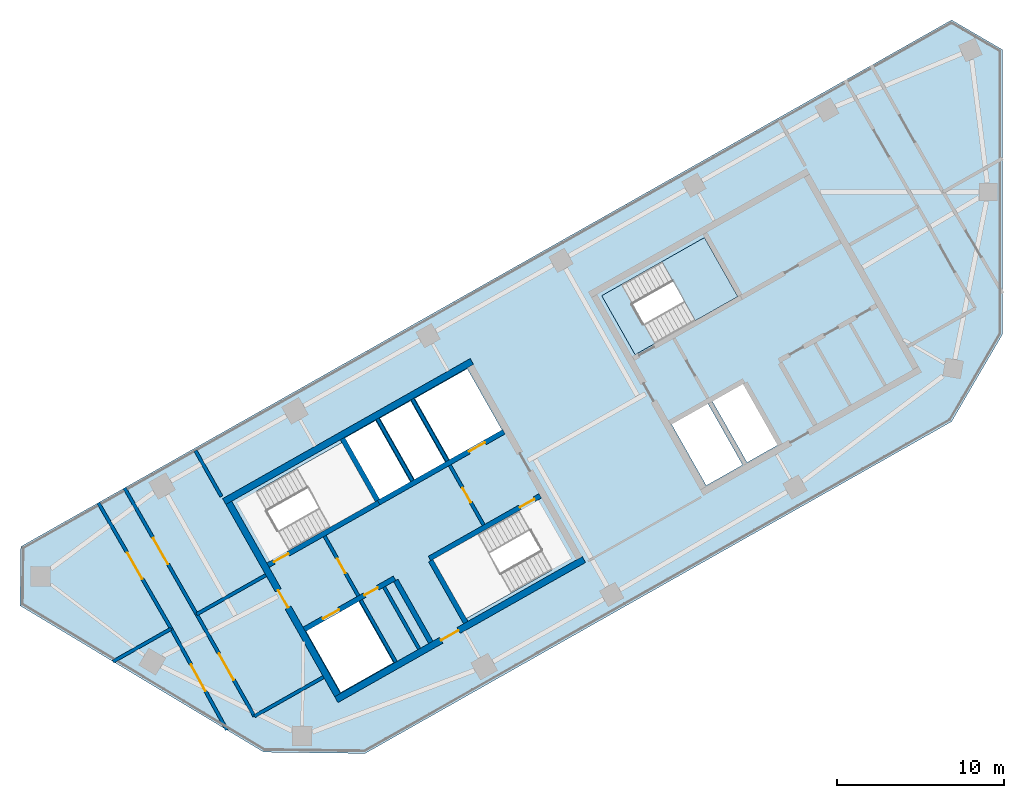
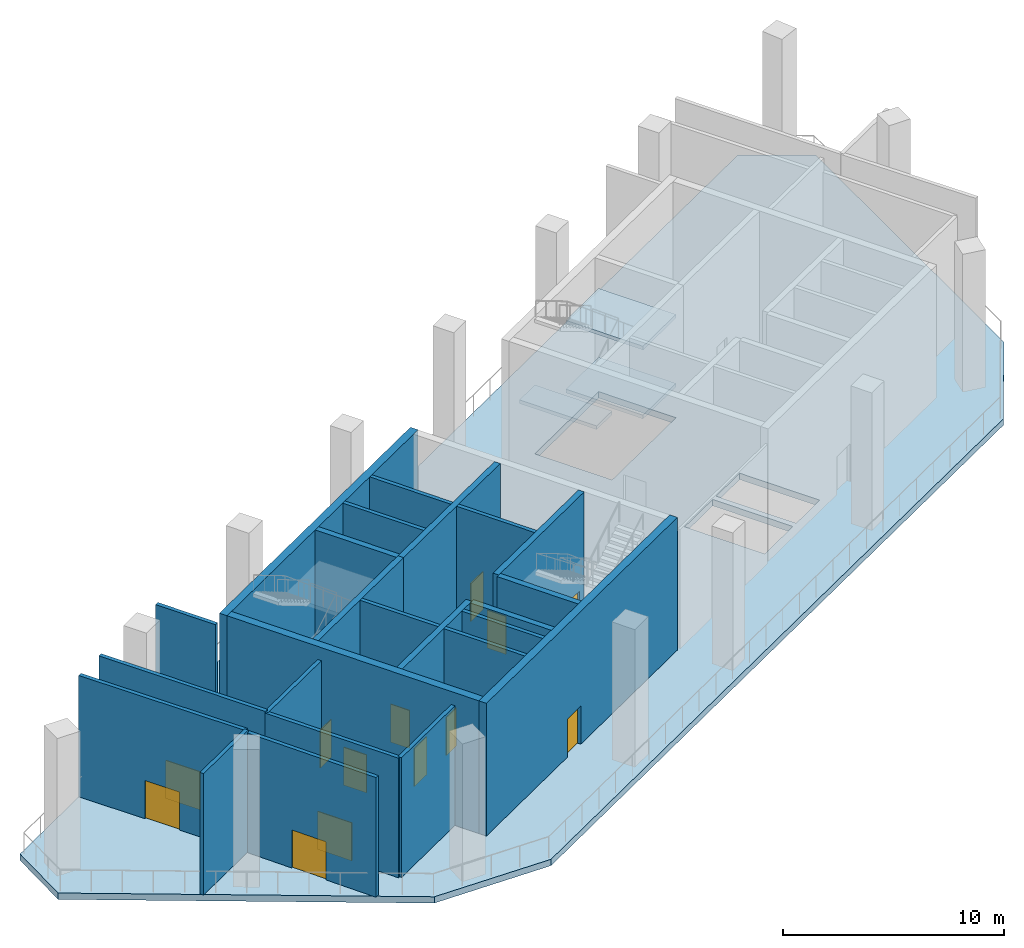
# One storey, part 2 of 6: 24 walls, 13 doors, 4 slabs, 13 openings, 1 element without a shape of its own.
"""IFC4 building model written with IfcOpenShell, lengths in metres."""

from ifc_helpers import new_model, si_unit, direction, frame, frame_2d, origin, place, context, subcontext, project, spatial, polyline, rectangle, outline, extrude, material, layer, layer_set, type_object, element, fill, aggregate, save


model = new_model("IFC4")

# Units and contexts
model_context = context("Model", 3, precision=1e-05, world=origin(), true_north=direction((0.0, 1.0)))
body_context = subcontext(model_context, "Body", "Model", "MODEL_VIEW")
ifc_project = project(units=[si_unit("LENGTHUNIT", "METRE"), si_unit("AREAUNIT", "SQUARE_METRE"), si_unit("VOLUMEUNIT", "CUBIC_METRE"), si_unit("PLANEANGLEUNIT", "RADIAN"), si_unit("MASSUNIT", "GRAM", prefix="KILO")], contexts=[model_context])

# Site, building, storey
site_placement = place(None, origin())
site = spatial("IfcSite", under=ifc_project, at=site_placement, CompositionType="ELEMENT")
building_placement = place(site_placement, origin())
building = spatial("IfcBuilding", under=site, at=building_placement, Name="Binnacle Exchange Tower", CompositionType="ELEMENT")
storey_placement = place(building_placement, frame((0.0, 0.0, 285.5)))
storey = spatial("IfcBuildingStorey", under=building, at=storey_placement, Name="L64", CompositionType="ELEMENT", Elevation=285.5)

# Slab
ifc_material_1 = material(Name="Concrete C35/45", Category="concrete")
ifc_layer_1 = layer(ifc_material_1, 0.35009765625)
ifc_layer_set_1 = layer_set([ifc_layer_1], Name="Floor slab 350 Concrete C35/45")
slab_type_1 = type_object("IfcSlabType", Name="Floor slab 350 Concrete C35/45", PredefinedType="FLOOR", material=ifc_layer_set_1)
slab_1_placement = place(storey_placement, frame((0.0, 0.0, -0.35009765625)))
element("IfcSlab", 1, at=slab_1_placement, inside=storey, type_object=slab_type_1, Name="S:SL:L64:01", PredefinedType="FLOOR", context=body_context, shape_type="SweptSolid", body=[
    extrude(outline(polyline([(-38.097900390625, 26.4453125), (-44.14404296875, 26.5244140625), (-58.716064453125, 35.280029296875), (-58.669921875, 38.80615234375), (-3.046142578125, 70.276611328125), (0.0, 68.5), (0.0, 51.5), (-3.046142578125, 46.276611328125), (-38.097900390625, 26.4453125)]), holes=[polyline([(-38.4794921875, 35.529296875), (-41.61279296875, 33.756591796875), (-39.544677734375, 30.10107421875), (-36.411376953125, 31.873779296875), (-38.4794921875, 35.529296875)]), polyline([(-32.04638671875, 34.515625), (-26.9287109375, 37.4111328125), (-28.923095703125, 40.93603515625), (-34.040771484375, 38.04052734375), (-32.04638671875, 34.515625)]), polyline([(-39.480712890625, 45.01611328125), (-44.598388671875, 42.12060546875), (-42.604248046875, 38.595703125), (-37.486572265625, 41.4912109375), (-39.480712890625, 45.01611328125)]), polyline([(-37.4658203125, 46.32861328125), (-39.293701171875, 45.29443359375), (-37.225341796875, 41.638916015625), (-35.397705078125, 42.673095703125), (-37.4658203125, 46.32861328125)]), polyline([(-17.598876953125, 47.343017578125), (-19.77490234375, 46.11181640625), (-17.70654296875, 42.456298828125), (-15.53076171875, 43.6875), (-17.598876953125, 47.343017578125)]), polyline([(-35.376953125, 47.51025390625), (-37.20458984375, 46.476318359375), (-35.136474609375, 42.82080078125), (-33.308837890625, 43.854736328125), (-35.376953125, 47.51025390625)]), polyline([(-15.510009765625, 48.52490234375), (-17.337890625, 47.49072265625), (-15.26953125, 43.835205078125), (-13.44189453125, 44.869384765625), (-15.510009765625, 48.52490234375)]), polyline([(-29.914306640625, 45.775390625), (-31.982666015625, 49.430908203125), (-35.115966796875, 47.657958984375), (-33.047607421875, 44.00244140625), (-29.914306640625, 45.775390625)]), polyline([(-15.822509765625, 53.748046875), (-17.81689453125, 57.27294921875), (-22.760498046875, 54.47607421875), (-20.76611328125, 50.950927734375), (-15.822509765625, 53.748046875)])]), origin(), (0.0, 0.0, 1.0), 0.35009765625),
])

# Stair, slabs
stair_type = type_object("IfcStairType", Name="STAIR 44 RISERS 173", PredefinedType="HALF_TURN_STAIR", material=ifc_material_1)
stair_placement = place(storey_placement, origin())
stair = element("IfcStair", 2, at=stair_placement, inside=storey, type_object=stair_type, Name="L64 Escape stair C1", PredefinedType="HALF_TURN_STAIR")
ifc_layer_2 = layer(ifc_material_1, 0.199951171875)
ifc_layer_set_2 = layer_set([ifc_layer_2], Name="STAIR LANDING 200")
slab_type_2 = type_object("IfcSlabType", Name="STAIR LANDING 200", PredefinedType="LANDING", material=ifc_layer_set_2)
slab_2_placement = place(storey_placement, frame((0.0, 0.0, 1.699951171875)))
slab_2 = element("IfcSlab", 3, at=slab_2_placement, type_object=slab_type_2, Name="STC1 landing 1", PredefinedType="LANDING", context=body_context, shape_type="SweptSolid", body=[
    extrude(outline(polyline([(-18.364013671875, 52.31005859375), (-15.822509765625, 53.748046875), (-17.81689453125, 57.27294921875), (-20.3583984375, 55.8349609375), (-18.364013671875, 52.31005859375)])), origin(), (0.0, 0.0, 1.0), 0.199951171875),
])
slab_3_placement = place(storey_placement, frame((0.0, 0.0, 3.60009765625)))
slab_3 = element("IfcSlab", 4, at=slab_3_placement, type_object=slab_type_2, Name="STC1 landing 2", PredefinedType="LANDING", context=body_context, shape_type="SweptSolid", body=[
    extrude(outline(polyline([(-21.95849609375, 50.2763671875), (-20.76611328125, 50.950927734375), (-22.760498046875, 54.47607421875), (-23.952880859375, 53.80126953125), (-21.95849609375, 50.2763671875)])), origin(), (0.0, 0.0, 1.0), 0.199951171875),
])
slab_4_placement = place(storey_placement, frame((0.0, 0.0, 5.5)))
slab_4 = element("IfcSlab", 5, at=slab_4_placement, type_object=slab_type_2, Name="STC1 landing 3", PredefinedType="LANDING", context=body_context, shape_type="SweptSolid", body=[
    extrude(outline(polyline([(-18.364013671875, 52.31005859375), (-15.822509765625, 53.748046875), (-17.81689453125, 57.27294921875), (-20.3583984375, 55.8349609375), (-18.364013671875, 52.31005859375)])), origin(), (0.0, 0.0, 1.0), 0.199951171875),
])
aggregate(stair, [slab_2, slab_3, slab_4])

# Wall, openings, doors
ifc_material_2 = material(Name="Concrete C70/85", Category="concrete")
ifc_layer_3 = layer(ifc_material_2, 0.300048828125)
ifc_layer_set_3 = layer_set([ifc_layer_3], Name="Core wall - front 300")
wall_type_1 = type_object("IfcWallType", Name="Core wall - front 300", PredefinedType="SOLIDWALL", material=ifc_layer_set_3)
wall_1_placement = place(storey_placement, frame((-41.72998046875, 33.862548828125, 0.0), z_axis=(0.0, 0.0, 1.0), x_axis=(0.870350800578, 0.492432212525, 0.0)))
wall_1 = element("IfcWall", 6, at=wall_1_placement, inside=storey, type_object=wall_type_1, Name="Core wall CRWA2", PredefinedType="SOLIDWALL", context=body_context, shape_type="SweptSolid", body=[
    extrude(rectangle(XDim=6.19970703125, YDim=0.300048828125, at=frame_2d((3.099853515625, 0.0))), origin(), (0.0, 0.0, 1.0), 7.320068359375),
])
opening_1_placement = place(wall_1_placement, frame((1.300048828125, 0.0, 0.0)))
opening_1 = element("IfcOpeningElement", 7, at=opening_1_placement, cuts=wall_1, Name="Opening LD12", PredefinedType="OPENING", context=body_context, shape_type="SweptSolid", body=[
    extrude(rectangle(XDim=1.10009765625, YDim=2.10009765625, at=frame_2d((0.550048828125, 1.050048828125))), frame((0.0, 0.159912109375, 0.0), z_axis=(0.0, -1.0, 0.0), x_axis=(1.0, 0.0, 0.0)), (0.0, 0.0, 1.0), 0.320068359375),
])
opening_2_placement = place(wall_1_placement, frame((4.14990234375, 0.0, 0.0)))
opening_2 = element("IfcOpeningElement", 8, at=opening_2_placement, cuts=wall_1, Name="Opening DA14", PredefinedType="OPENING", context=body_context, shape_type="SweptSolid", body=[
    extrude(rectangle(XDim=0.89990234375, YDim=2.10009765625, at=frame_2d((0.449951171875, 1.050048828125))), frame((0.0, 0.159912109375, 0.0), z_axis=(0.0, -1.0, 0.0), x_axis=(1.0, 0.0, 0.0)), (0.0, 0.0, 1.0), 0.320068359375),
])
ifc_material_3 = material(Name="Steel door leaf", Category="steel")
door_type_1 = type_object("IfcDoorType", Name="Fire door - lift landing 1100", OperationType="NOTDEFINED", PredefinedType="DOOR", material=ifc_material_3)
door_1_placement = place(opening_1_placement, origin())
door_1 = element("IfcDoor", 9, at=door_1_placement, inside=storey, type_object=door_type_1, Name="Landing door LD12 L64", OperationType="DOUBLE_DOOR_SLIDING", OverallHeight=2.10009765625, OverallWidth=1.10009765625, PredefinedType="DOOR", context=body_context, shape_type="SweptSolid", body=[
    extrude(rectangle(XDim=1.10009765625, YDim=2.10009765625, at=frame_2d((0.550048828125, 1.050048828125))), frame((0.0, 0.02490234375, 0.0), z_axis=(0.0, -1.0, 0.0), x_axis=(1.0, 0.0, 0.0)), (0.0, 0.0, 1.0), 0.050048828125),
])
fill(opening_1, door_1)
door_type_2 = type_object("IfcDoorType", Name="Fire door 900", OperationType="NOTDEFINED", PredefinedType="DOOR", material=ifc_material_3)
door_2_placement = place(opening_2_placement, frame((0.89990234375, 0.0, 0.0), z_axis=(0.0, 0.0, 1.0), x_axis=(-1.0, 0.0, 0.0)))
door_2 = element("IfcDoor", 10, at=door_2_placement, inside=storey, type_object=door_type_2, Name="Core room door UPS CUPBOARD", OperationType="SINGLE_SWING_LEFT", OverallHeight=2.10009765625, OverallWidth=0.89990234375, PredefinedType="DOOR", context=body_context, shape_type="SweptSolid", body=[
    extrude(rectangle(XDim=0.89990234375, YDim=2.10009765625, at=frame_2d((0.449951171875, 1.050048828125))), frame((0.0, 0.02490234375, 0.0), z_axis=(0.0, -1.0, 0.0), x_axis=(1.0, 0.0, 0.0)), (0.0, 0.0, 1.0), 0.050048828125),
])
fill(opening_2, door_2)

# Wall, opening, door
wall_2_placement = place(storey_placement, frame((-37.281982421875, 41.4345703125, 0.0), z_axis=(0.0, 0.0, 1.0), x_axis=(0.870361315115, 0.492413628113, 0.0)))
wall_2 = element("IfcWall", 11, at=wall_2_placement, inside=storey, type_object=wall_type_1, Name="Core wall CRWA5", PredefinedType="SOLIDWALL", context=body_context, shape_type="SweptSolid", body=[
    extrude(rectangle(XDim=8.599609375, YDim=0.300048828125, at=frame_2d((4.2998046875, 0.0))), origin(), (0.0, 0.0, 1.0), 7.320068359375),
])
opening_3_placement = place(wall_2_placement, frame((6.199951171875, 0.0, 0.0)))
opening_3 = element("IfcOpeningElement", 12, at=opening_3_placement, cuts=wall_2, Name="Opening LD13", PredefinedType="OPENING", context=body_context, shape_type="SweptSolid", body=[
    extrude(rectangle(XDim=1.10009765625, YDim=2.10009765625, at=frame_2d((0.550048828125, 1.050048828125))), frame((0.0, 0.159912109375, 0.0), z_axis=(0.0, -1.0, 0.0), x_axis=(1.0, 0.0, 0.0)), (0.0, 0.0, 1.0), 0.320068359375),
])
door_3_placement = place(opening_3_placement, origin())
door_3 = element("IfcDoor", 13, at=door_3_placement, inside=storey, type_object=door_type_1, Name="Landing door LD13 L64", OperationType="DOUBLE_DOOR_SLIDING", OverallHeight=2.10009765625, OverallWidth=1.10009765625, PredefinedType="DOOR", context=body_context, shape_type="SweptSolid", body=[
    extrude(rectangle(XDim=1.10009765625, YDim=2.10009765625, at=frame_2d((0.550048828125, 1.050048828125))), frame((0.0, 0.02490234375, 0.0), z_axis=(0.0, -1.0, 0.0), x_axis=(1.0, 0.0, 0.0)), (0.0, 0.0, 1.0), 0.050048828125),
])
fill(opening_3, door_3)

# Wall
wall_3_placement = place(storey_placement, frame((-36.260009765625, 36.784912109375, 0.0), z_axis=(0.0, 0.0, 1.0), x_axis=(0.492422543467, -0.870356271124, 0.0)))
element("IfcWall", 14, at=wall_3_placement, inside=storey, type_object=wall_type_1, Name="Core wall CRWA13", PredefinedType="SOLIDWALL", context=body_context, shape_type="SweptSolid", body=[
    extrude(rectangle(XDim=4.25, YDim=0.300048828125, at=frame_2d((2.125, 0.0))), origin(), (0.0, 0.0, 1.0), 7.320068359375),
])

# Wall, opening, door
ifc_layer_4 = layer(ifc_material_2, 0.39990234375)
ifc_layer_set_4 = layer_set([ifc_layer_4], Name="Core wall - outer 400")
wall_type_2 = type_object("IfcWallType", Name="Core wall - outer 400", PredefinedType="SOLIDWALL", material=ifc_layer_set_4)
wall_4_placement = place(storey_placement, frame((-39.81298828125, 29.661865234375, 0.0), z_axis=(0.0, 0.0, 1.0), x_axis=(0.870350116061, 0.492433422375, 0.0)))
wall_4 = element("IfcWall", 15, at=wall_4_placement, inside=storey, type_object=wall_type_2, Name="Core wall CRWA1", PredefinedType="SOLIDWALL", context=body_context, shape_type="SweptSolid", body=[
    extrude(rectangle(XDim=17.0, YDim=0.39990234375, at=frame_2d((8.5, 0.0))), origin(), (0.0, 0.0, 1.0), 7.320068359375),
])
opening_4_placement = place(wall_4_placement, frame((7.199951171875, 0.0, 0.0)))
opening_4 = element("IfcOpeningElement", 16, at=opening_4_placement, cuts=wall_4, Name="Opening DA7", PredefinedType="OPENING", context=body_context, shape_type="SweptSolid", body=[
    extrude(rectangle(XDim=1.199951171875, YDim=2.10009765625, at=frame_2d((0.60009765625, 1.050048828125))), frame((0.0, 0.2099609375, 0.0), z_axis=(0.0, -1.0, 0.0), x_axis=(1.0, 0.0, 0.0)), (0.0, 0.0, 1.0), 0.419921875),
])
door_type_3 = type_object("IfcDoorType", Name="Fire door 1200", OperationType="NOTDEFINED", PredefinedType="DOOR", material=ifc_material_3)
door_4_placement = place(opening_4_placement, frame((1.199951171875, 0.0, 0.0), z_axis=(0.0, 0.0, 1.0), x_axis=(-1.0, 0.0, 0.0)))
door_4 = element("IfcDoor", 17, at=door_4_placement, inside=storey, type_object=door_type_3, Name="Lift lobby entrance door core A", OperationType="SINGLE_SWING_RIGHT", OverallHeight=2.10009765625, OverallWidth=1.199951171875, PredefinedType="DOOR", context=body_context, shape_type="SweptSolid", body=[
    extrude(rectangle(XDim=1.199951171875, YDim=2.10009765625, at=frame_2d((0.60009765625, 1.050048828125))), frame((0.0, 0.02490234375, 0.0), z_axis=(0.0, -1.0, 0.0), x_axis=(1.0, 0.0, 0.0)), (0.0, 0.0, 1.0), 0.050048828125),
])
fill(opening_4, door_4)

# Wall
wall_5_placement = place(storey_placement, frame((-46.510009765625, 41.498779296875, 0.0), z_axis=(0.0, 0.0, 1.0), x_axis=(0.870356271124, 0.492422543467, 0.0)))
element("IfcWall", 18, at=wall_5_placement, inside=storey, type_object=wall_type_2, Name="Core wall CRWA6", PredefinedType="SOLIDWALL", context=body_context, shape_type="SweptSolid", body=[
    extrude(rectangle(XDim=16.999755859375, YDim=0.39990234375, at=frame_2d((8.5, 0.0))), origin(), (0.0, 0.0, 1.0), 7.320068359375),
])

# Wall, opening, door
wall_6_placement = place(storey_placement, frame((-46.237548828125, 41.423095703125, 0.0), z_axis=(0.0, 0.0, 1.0), x_axis=(0.492421663121, -0.870356769198, 0.0)))
wall_6 = element("IfcWall", 19, at=wall_6_placement, inside=storey, type_object=wall_type_2, Name="Core wall CRWA7", PredefinedType="SOLIDWALL", context=body_context, shape_type="SweptSolid", body=[
    extrude(rectangle(XDim=13.199951171875, YDim=0.39990234375, at=frame_2d((6.60009765625, 0.0))), origin(), (0.0, 0.0, 1.0), 7.320068359375),
])
opening_5_placement = place(wall_6_placement, frame((6.0, 0.0, 0.0)))
opening_5 = element("IfcOpeningElement", 20, at=opening_5_placement, cuts=wall_6, Name="Opening DA5", PredefinedType="OPENING", context=body_context, shape_type="SweptSolid", body=[
    extrude(rectangle(XDim=1.199951171875, YDim=2.10009765625, at=frame_2d((0.60009765625, 1.050048828125))), frame((0.0, 0.2099609375, 0.0), z_axis=(0.0, -1.0, 0.0), x_axis=(1.0, 0.0, 0.0)), (0.0, 0.0, 1.0), 0.419921875),
])
door_5_placement = place(opening_5_placement, frame((1.199951171875, 0.0, 0.0), z_axis=(0.0, 0.0, 1.0), x_axis=(-1.0, 0.0, 0.0)))
door_5 = element("IfcDoor", 21, at=door_5_placement, inside=storey, type_object=door_type_3, Name="Vestibule exit door VEST-W", OperationType="SINGLE_SWING_RIGHT", OverallHeight=2.10009765625, OverallWidth=1.199951171875, PredefinedType="DOOR", context=body_context, shape_type="SweptSolid", body=[
    extrude(rectangle(XDim=1.199951171875, YDim=2.10009765625, at=frame_2d((0.60009765625, 1.050048828125))), frame((0.0, 0.02490234375, 0.0), z_axis=(0.0, -1.0, 0.0), x_axis=(1.0, 0.0, 0.0)), (0.0, 0.0, 1.0), 0.050048828125),
])
fill(opening_5, door_5)

ifc_layer_5 = layer(ifc_material_2, 0.300048828125)
ifc_layer_set_5 = layer_set([ifc_layer_5], Name="Core wall - stair 300")
wall_type_3 = type_object("IfcWallType", Name="Core wall - stair 300", PredefinedType="SOLIDWALL", material=ifc_layer_set_5)
wall_7_placement = place(storey_placement, frame((-34.2451171875, 38.097412109375, 0.0), z_axis=(0.0, 0.0, 1.0), x_axis=(0.870356351998, 0.492422400523, 0.0)))
wall_7 = element("IfcWall", 22, at=wall_7_placement, inside=storey, type_object=wall_type_3, Name="Core wall CRWA3", PredefinedType="SOLIDWALL", context=body_context, shape_type="SweptSolid", body=[
    extrude(rectangle(XDim=7.60009765625, YDim=0.300048828125, at=frame_2d((3.800048828125, 0.0))), origin(), (0.0, 0.0, 1.0), 7.320068359375),
])
opening_6_placement = place(wall_7_placement, frame((6.199951171875, 0.0, 0.0)))
opening_6 = element("IfcOpeningElement", 23, at=opening_6_placement, cuts=wall_7, Name="Opening DA2", PredefinedType="OPENING", context=body_context, shape_type="SweptSolid", body=[
    extrude(rectangle(XDim=1.0, YDim=2.10009765625, at=frame_2d((0.5, 1.050048828125))), frame((0.0, 0.159912109375, 0.0), z_axis=(0.0, -1.0, 0.0), x_axis=(1.0, 0.0, 0.0)), (0.0, 0.0, 1.0), 0.320068359375),
])
door_type_4 = type_object("IfcDoorType", Name="Fire door 1000", OperationType="NOTDEFINED", PredefinedType="DOOR", material=ifc_material_3)
door_6_placement = place(opening_6_placement, frame((1.0, 0.0, 0.0), z_axis=(0.0, 0.0, 1.0), x_axis=(-1.0, 0.0, 0.0)))
door_6 = element("IfcDoor", 24, at=door_6_placement, inside=storey, type_object=door_type_4, Name="Stair door ST-A2", OperationType="SINGLE_SWING_LEFT", OverallHeight=2.10009765625, OverallWidth=1.0, PredefinedType="DOOR", context=body_context, shape_type="SweptSolid", body=[
    extrude(rectangle(XDim=1.0, YDim=2.10009765625, at=frame_2d((0.5, 1.050048828125))), frame((0.0, 0.02490234375, 0.0), z_axis=(0.0, -1.0, 0.0), x_axis=(1.0, 0.0, 0.0)), (0.0, 0.0, 1.0), 0.050048828125),
])
fill(opening_6, door_6)

wall_8_placement = place(storey_placement, frame((-43.896728515625, 37.692138671875, 0.0), z_axis=(0.0, 0.0, 1.0), x_axis=(0.870356351998, 0.492422400523, 0.0)))
wall_8 = element("IfcWall", 25, at=wall_8_placement, inside=storey, type_object=wall_type_3, Name="Core wall CRWA4", PredefinedType="SOLIDWALL", context=body_context, shape_type="SweptSolid", body=[
    extrude(rectangle(XDim=7.60009765625, YDim=0.300048828125, at=frame_2d((3.800048828125, 0.0))), origin(), (0.0, 0.0, 1.0), 7.320068359375),
])
opening_7_placement = place(wall_8_placement, frame((0.39990234375, 0.0, 0.0)))
opening_7 = element("IfcOpeningElement", 26, at=opening_7_placement, cuts=wall_8, Name="Opening DA1", PredefinedType="OPENING", context=body_context, shape_type="SweptSolid", body=[
    extrude(rectangle(XDim=1.0, YDim=2.10009765625, at=frame_2d((0.5, 1.050048828125))), frame((0.0, 0.159912109375, 0.0), z_axis=(0.0, -1.0, 0.0), x_axis=(1.0, 0.0, 0.0)), (0.0, 0.0, 1.0), 0.320068359375),
])
door_7_placement = place(opening_7_placement, origin())
door_7 = element("IfcDoor", 27, at=door_7_placement, inside=storey, type_object=door_type_4, Name="Stair door ST-A1", OperationType="SINGLE_SWING_LEFT", OverallHeight=2.10009765625, OverallWidth=1.0, PredefinedType="DOOR", context=body_context, shape_type="SweptSolid", body=[
    extrude(rectangle(XDim=1.0, YDim=2.10009765625, at=frame_2d((0.5, 1.050048828125))), frame((0.0, 0.02490234375, 0.0), z_axis=(0.0, -1.0, 0.0), x_axis=(1.0, 0.0, 0.0)), (0.0, 0.0, 1.0), 0.050048828125),
])
fill(opening_7, door_7)

# Walls
for number, where, z_axis, x_axis, name in (
    (28, (-39.44873046875, 45.263916015625, 0.0), (0.0, 0.0, 1.0), (0.492422543467, -0.870356271124, 0.0), "Core wall CRWA14"),
    (29, (-34.171142578125, 37.966796875, 0.0), (0.0, 0.0, 1.0), (0.492422543467, -0.870356271124, 0.0), "Core wall CRWA16"),
):
    element("IfcWall", number, at=place(storey_placement, frame(where, z_axis=z_axis, x_axis=x_axis)), inside=storey, type_object=wall_type_3, Name=name, PredefinedType="SOLIDWALL", context=body_context, shape_type="SweptSolid", body=[
        extrude(rectangle(XDim=4.25, YDim=0.300048828125, at=frame_2d((2.125, 0.0))), origin(), (0.0, 0.0, 1.0), 7.320068359375),
    ])

# Wall, opening, door
ifc_material_4 = material(Name="Masonry block wall", Category="masonry")
ifc_layer_6 = layer(ifc_material_4, 0.199951171875)
ifc_layer_set_6 = layer_set([ifc_layer_6], Name="Fire wall - block 200")
wall_type_4 = type_object("IfcWallType", Name="Fire wall - block 200", PredefinedType="PARTITIONING", material=ifc_layer_set_6)
wall_9_placement = place(storey_placement, frame((-54.035888671875, 41.427978515625, 0.0), z_axis=(0.0, 0.0, 1.0), x_axis=(0.500903434797, -0.865503176775, 0.0)))
wall_9 = element("IfcWall", 30, at=wall_9_placement, inside=storey, type_object=wall_type_4, Name="Partition W01", PredefinedType="PARTITIONING", context=body_context, shape_type="SweptSolid", body=[
    extrude(rectangle(XDim=8.6943359375, YDim=0.199951171875, at=frame_2d((4.34716796875, 0.0))), origin(), (0.0, 0.0, 1.0), 6.694091796875),
])
opening_8_placement = place(wall_9_placement, frame((3.449951171875, 0.0, 0.0)))
opening_8 = element("IfcOpeningElement", 31, at=opening_8_placement, cuts=wall_9, Name="Opening DL64-02", PredefinedType="OPENING", context=body_context, shape_type="SweptSolid", body=[
    extrude(rectangle(XDim=1.800048828125, YDim=2.10009765625, at=frame_2d((0.89990234375, 1.050048828125))), frame((0.0, 0.10986328125, 0.0), z_axis=(0.0, -1.0, 0.0), x_axis=(1.0, 0.0, 0.0)), (0.0, 0.0, 1.0), 0.219970703125),
])
door_type_5 = type_object("IfcDoorType", Name="Fire door 1800", OperationType="NOTDEFINED", PredefinedType="DOOR", material=ifc_material_3)
door_8_placement = place(opening_8_placement, frame((1.800048828125, 0.0, 0.0), z_axis=(0.0, 0.0, 1.0), x_axis=(-1.0, 0.0, 0.0)))
door_8 = element("IfcDoor", 32, at=door_8_placement, inside=storey, type_object=door_type_5, Name="Door DL64-02", OperationType="DOUBLE_DOOR_SINGLE_SWING", OverallHeight=2.10009765625, OverallWidth=1.800048828125, PredefinedType="DOOR", context=body_context, shape_type="SweptSolid", body=[
    extrude(rectangle(XDim=1.800048828125, YDim=2.10009765625, at=frame_2d((0.89990234375, 1.050048828125))), frame((0.0, 0.02490234375, 0.0), z_axis=(0.0, -1.0, 0.0), x_axis=(1.0, 0.0, 0.0)), (0.0, 0.0, 1.0), 0.050048828125),
])
fill(opening_8, door_8)

# Wall
wall_10_placement = place(storey_placement, frame((-53.154052734375, 31.93798828125, 0.0), z_axis=(0.0, 0.0, 1.0), x_axis=(0.870347398057, 0.492438226273, 0.0)))
element("IfcWall", 33, at=wall_10_placement, inside=storey, type_object=wall_type_4, Name="Partition W02", PredefinedType="PARTITIONING", context=body_context, shape_type="SweptSolid", body=[
    extrude(rectangle(XDim=3.990478515625, YDim=0.199951171875, at=frame_2d((1.9951171875, 0.0))), origin(), (0.0, 0.0, 1.0), 6.699951171875),
])

# Wall, opening, door
wall_11_placement = place(storey_placement, frame((-52.469970703125, 42.31396484375, 0.0), z_axis=(0.0, 0.0, 1.0), x_axis=(0.495939345118, -0.868357164975, 0.0)))
wall_11 = element("IfcWall", 34, at=wall_11_placement, inside=storey, type_object=wall_type_4, Name="Partition W03", PredefinedType="PARTITIONING", context=body_context, shape_type="SweptSolid", body=[
    extrude(rectangle(XDim=8.694580078125, YDim=0.199951171875, at=frame_2d((4.34716796875, 0.0))), origin(), (0.0, 0.0, 1.0), 6.694091796875),
])
opening_9_placement = place(wall_11_placement, frame((3.449951171875, 0.0, 0.0)))
opening_9 = element("IfcOpeningElement", 35, at=opening_9_placement, cuts=wall_11, Name="Opening DL64-04", PredefinedType="OPENING", context=body_context, shape_type="SweptSolid", body=[
    extrude(rectangle(XDim=1.800048828125, YDim=2.10009765625, at=frame_2d((0.89990234375, 1.050048828125))), frame((0.0, 0.10986328125, 0.0), z_axis=(0.0, -1.0, 0.0), x_axis=(1.0, 0.0, 0.0)), (0.0, 0.0, 1.0), 0.219970703125),
])
door_9_placement = place(opening_9_placement, origin())
door_9 = element("IfcDoor", 36, at=door_9_placement, inside=storey, type_object=door_type_5, Name="Door DL64-04", OperationType="DOUBLE_DOOR_SINGLE_SWING", OverallHeight=2.10009765625, OverallWidth=1.800048828125, PredefinedType="DOOR", context=body_context, shape_type="SweptSolid", body=[
    extrude(rectangle(XDim=1.800048828125, YDim=2.10009765625, at=frame_2d((0.89990234375, 1.050048828125))), frame((0.0, 0.02490234375, 0.0), z_axis=(0.0, -1.0, 0.0), x_axis=(1.0, 0.0, 0.0)), (0.0, 0.0, 1.0), 0.050048828125),
])
fill(opening_9, door_9)

wall_12_placement = place(storey_placement, frame((-49.680908203125, 33.903076171875, 0.0), z_axis=(0.0, 0.0, 1.0), x_axis=(0.48158332994, -0.876400305981, 0.0)))
wall_12 = element("IfcWall", 37, at=wall_12_placement, inside=storey, type_object=wall_type_4, Name="Partition W04", PredefinedType="PARTITIONING", context=body_context, shape_type="SweptSolid", body=[
    extrude(rectangle(XDim=6.902099609375, YDim=0.199951171875, at=frame_2d((3.451171875, 0.0))), origin(), (0.0, 0.0, 1.0), 6.60009765625),
])
opening_10_placement = place(wall_12_placement, frame((2.449951171875, 0.0, 0.0)))
opening_10 = element("IfcOpeningElement", 38, at=opening_10_placement, cuts=wall_12, Name="Opening DL64-01", PredefinedType="OPENING", context=body_context, shape_type="SweptSolid", body=[
    extrude(rectangle(XDim=1.800048828125, YDim=2.10009765625, at=frame_2d((0.89990234375, 1.050048828125))), frame((0.0, 0.10986328125, 0.0), z_axis=(0.0, -1.0, 0.0), x_axis=(1.0, 0.0, 0.0)), (0.0, 0.0, 1.0), 0.219970703125),
])
door_10_placement = place(opening_10_placement, frame((1.800048828125, 0.0, 0.0), z_axis=(0.0, 0.0, 1.0), x_axis=(-1.0, 0.0, 0.0)))
door_10 = element("IfcDoor", 39, at=door_10_placement, inside=storey, type_object=door_type_5, Name="Door DL64-01", OperationType="DOUBLE_DOOR_SINGLE_SWING", OverallHeight=2.10009765625, OverallWidth=1.800048828125, PredefinedType="DOOR", context=body_context, shape_type="SweptSolid", body=[
    extrude(rectangle(XDim=1.800048828125, YDim=2.10009765625, at=frame_2d((0.89990234375, 1.050048828125))), frame((0.0, 0.02490234375, 0.0), z_axis=(0.0, -1.0, 0.0), x_axis=(1.0, 0.0, 0.0)), (0.0, 0.0, 1.0), 0.050048828125),
])
fill(opening_10, door_10)

# Wall
wall_13_placement = place(storey_placement, frame((-48.23095703125, 44.5400390625, 0.0), z_axis=(0.0, 0.0, 1.0), x_axis=(0.49254830201, -0.870285108563, 0.0)))
element("IfcWall", 40, at=wall_13_placement, inside=storey, type_object=wall_type_4, Name="Partition W05", PredefinedType="PARTITIONING", context=body_context, shape_type="SweptSolid", body=[
    extrude(rectangle(XDim=3.14501953125, YDim=0.199951171875, at=frame_2d((1.572509765625, 0.0))), origin(), (0.0, 0.0, 1.0), 6.68798828125),
])

# Wall, opening, door
wall_14_placement = place(storey_placement, frame((-48.157958984375, 34.763916015625, 0.0), z_axis=(0.0, 0.0, 1.0), x_axis=(0.492472114048, -0.870328223652, 0.0)))
wall_14 = element("IfcWall", 41, at=wall_14_placement, inside=storey, type_object=wall_type_4, Name="Partition W06", PredefinedType="PARTITIONING", context=body_context, shape_type="SweptSolid", body=[
    extrude(rectangle(XDim=6.99951171875, YDim=0.199951171875, at=frame_2d((3.499755859375, 0.0))), origin(), (0.0, 0.0, 1.0), 6.60009765625),
])
opening_11_placement = place(wall_14_placement, frame((2.699951171875, 0.0, 0.0)))
opening_11 = element("IfcOpeningElement", 42, at=opening_11_placement, cuts=wall_14, Name="Opening DL64-03", PredefinedType="OPENING", context=body_context, shape_type="SweptSolid", body=[
    extrude(rectangle(XDim=1.800048828125, YDim=2.10009765625, at=frame_2d((0.89990234375, 1.050048828125))), frame((0.0, 0.10986328125, 0.0), z_axis=(0.0, -1.0, 0.0), x_axis=(1.0, 0.0, 0.0)), (0.0, 0.0, 1.0), 0.219970703125),
])
door_11_placement = place(opening_11_placement, origin())
door_11 = element("IfcDoor", 43, at=door_11_placement, inside=storey, type_object=door_type_5, Name="Door DL64-03", OperationType="DOUBLE_DOOR_SINGLE_SWING", OverallHeight=2.10009765625, OverallWidth=1.800048828125, PredefinedType="DOOR", context=body_context, shape_type="SweptSolid", body=[
    extrude(rectangle(XDim=1.800048828125, YDim=2.10009765625, at=frame_2d((0.89990234375, 1.050048828125))), frame((0.0, 0.02490234375, 0.0), z_axis=(0.0, -1.0, 0.0), x_axis=(1.0, 0.0, 0.0)), (0.0, 0.0, 1.0), 0.050048828125),
])
fill(opening_11, door_11)

# Walls
for number, where, z_axis, x_axis, name in (
    (44, (-48.157958984375, 34.763916015625, 0.0), (0.0, 0.0, 1.0), (0.870388589034, 0.492365417225, 0.0), "Partition W07"),
    (45, (-44.7109375, 28.672119140625, 0.0), (0.0, 0.0, 1.0), (0.870410611769, 0.492326484073, 0.0), "Partition W08"),
):
    element("IfcWall", number, at=place(storey_placement, frame(where, z_axis=z_axis, x_axis=x_axis)), inside=storey, type_object=wall_type_4, Name=name, PredefinedType="PARTITIONING", context=body_context, shape_type="SweptSolid", body=[
        extrude(rectangle(XDim=4.750732421875, YDim=0.199951171875, at=frame_2d((2.37548828125, 0.0))), origin(), (0.0, 0.0, 1.0), 6.60009765625),
    ])

# Wall, opening, door
ifc_layer_7 = layer(ifc_material_4, 0.199951171875)
ifc_layer_set_7 = layer_set([ifc_layer_7], Name="Fire wall - vestibule 200")
wall_type_5 = type_object("IfcWallType", Name="Fire wall - vestibule 200", PredefinedType="PARTITIONING", material=ifc_layer_set_7)
wall_15_placement = place(storey_placement, frame((-40.515625, 39.4326171875, 0.0), z_axis=(0.0, 0.0, 1.0), x_axis=(0.492453559952, -0.87033872216, 0.0)))
wall_15 = element("IfcWall", 46, at=wall_15_placement, inside=storey, type_object=wall_type_5, Name="Core wall CRWA10", PredefinedType="PARTITIONING", context=body_context, shape_type="SweptSolid", body=[
    extrude(rectangle(XDim=4.099853515625, YDim=0.199951171875, at=frame_2d((2.0498046875, 0.0))), origin(), (0.0, 0.0, 1.0), 7.320068359375),
])
opening_12_placement = place(wall_15_placement, frame((1.550048828125, 0.0, 0.0)))
opening_12 = element("IfcOpeningElement", 47, at=opening_12_placement, cuts=wall_15, Name="Opening DA3", PredefinedType="OPENING", context=body_context, shape_type="SweptSolid", body=[
    extrude(rectangle(XDim=1.0, YDim=2.10009765625, at=frame_2d((0.5, 1.050048828125))), frame((0.0, 0.10986328125, 0.0), z_axis=(0.0, -1.0, 0.0), x_axis=(1.0, 0.0, 0.0)), (0.0, 0.0, 1.0), 0.219970703125),
])
door_12_placement = place(opening_12_placement, frame((1.0, 0.0, 0.0), z_axis=(0.0, 0.0, 1.0), x_axis=(-1.0, 0.0, 0.0)))
door_12 = element("IfcDoor", 48, at=door_12_placement, inside=storey, type_object=door_type_4, Name="Vestibule door VEST-W", OperationType="SINGLE_SWING_LEFT", OverallHeight=2.10009765625, OverallWidth=1.0, PredefinedType="DOOR", context=body_context, shape_type="SweptSolid", body=[
    extrude(rectangle(XDim=1.0, YDim=2.10009765625, at=frame_2d((0.5, 1.050048828125))), frame((0.0, 0.02490234375, 0.0), z_axis=(0.0, -1.0, 0.0), x_axis=(1.0, 0.0, 0.0)), (0.0, 0.0, 1.0), 0.050048828125),
])
fill(opening_12, door_12)

wall_16_placement = place(storey_placement, frame((-33.030517578125, 43.66748046875, 0.0), z_axis=(0.0, 0.0, 1.0), x_axis=(0.492408451753, -0.87036424366, 0.0)))
wall_16 = element("IfcWall", 49, at=wall_16_placement, inside=storey, type_object=wall_type_5, Name="Core wall CRWA19", PredefinedType="PARTITIONING", context=body_context, shape_type="SweptSolid", body=[
    extrude(rectangle(XDim=4.099853515625, YDim=0.199951171875, at=frame_2d((2.0498046875, 0.0))), origin(), (0.0, 0.0, 1.0), 7.320068359375),
])
opening_13_placement = place(wall_16_placement, frame((1.550048828125, 0.0, 0.0)))
opening_13 = element("IfcOpeningElement", 50, at=opening_13_placement, cuts=wall_16, Name="Opening DA4", PredefinedType="OPENING", context=body_context, shape_type="SweptSolid", body=[
    extrude(rectangle(XDim=1.0, YDim=2.10009765625, at=frame_2d((0.5, 1.050048828125))), frame((0.0, 0.10986328125, 0.0), z_axis=(0.0, -1.0, 0.0), x_axis=(1.0, 0.0, 0.0)), (0.0, 0.0, 1.0), 0.219970703125),
])
door_13_placement = place(opening_13_placement, origin())
door_13 = element("IfcDoor", 51, at=door_13_placement, inside=storey, type_object=door_type_4, Name="Vestibule door VEST-E", OperationType="SINGLE_SWING_RIGHT", OverallHeight=2.10009765625, OverallWidth=1.0, PredefinedType="DOOR", context=body_context, shape_type="SweptSolid", body=[
    extrude(rectangle(XDim=1.0, YDim=2.10009765625, at=frame_2d((0.5, 1.050048828125))), frame((0.0, 0.02490234375, 0.0), z_axis=(0.0, -1.0, 0.0), x_axis=(1.0, 0.0, 0.0)), (0.0, 0.0, 1.0), 0.050048828125),
])
fill(opening_13, door_13)

# Walls
ifc_layer_8 = layer(ifc_material_4, 0.199951171875)
ifc_layer_set_8 = layer_set([ifc_layer_8], Name="Riser wall 200")
wall_type_6 = type_object("IfcWallType", Name="Riser wall 200", PredefinedType="SOLIDWALL", material=ifc_layer_set_8)
wall_17_placement = place(storey_placement, frame((-36.956298828125, 36.39111328125, 0.0), z_axis=(0.0, 0.0, 1.0), x_axis=(0.492397924348, -0.870370199454, 0.0)))
element("IfcWall", 52, at=wall_17_placement, inside=storey, type_object=wall_type_6, Name="Core wall CRWA12", PredefinedType="SOLIDWALL", context=body_context, shape_type="SweptSolid", body=[
    extrude(rectangle(XDim=4.250244140625, YDim=0.199951171875, at=frame_2d((2.125, 0.0))), origin(), (0.0, 0.0, 1.0), 7.320068359375),
])
ifc_layer_9 = layer(ifc_material_4, 0.199951171875)
ifc_layer_set_9 = layer_set([ifc_layer_9], Name="Shaft wall 200")
wall_type_7 = type_object("IfcWallType", Name="Shaft wall 200", PredefinedType="SOLIDWALL", material=ifc_layer_set_9)
wall_18_placement = place(storey_placement, frame((-38.348876953125, 35.603271484375, 0.0), z_axis=(0.0, 0.0, 1.0), x_axis=(0.492397924348, -0.870370199454, 0.0)))
element("IfcWall", 53, at=wall_18_placement, inside=storey, type_object=wall_type_7, Name="Core wall CRWA9", PredefinedType="SOLIDWALL", context=body_context, shape_type="SweptSolid", body=[
    extrude(rectangle(XDim=4.250244140625, YDim=0.199951171875, at=frame_2d((2.125, 0.0))), origin(), (0.0, 0.0, 1.0), 7.320068359375),
])
for number, where, z_axis, x_axis, name in (
    (54, (-37.35986328125, 46.44580078125, 0.0), (0.0, 0.0, 1.0), (0.492422543467, -0.870356271124, 0.0), "Core wall CRWA17"),
    (55, (-35.27099609375, 47.627685546875, 0.0), (0.0, 0.0, 1.0), (0.492422543467, -0.870356271124, 0.0), "Core wall CRWA21"),
):
    element("IfcWall", number, at=place(storey_placement, frame(where, z_axis=z_axis, x_axis=x_axis)), inside=storey, type_object=wall_type_7, Name=name, PredefinedType="SOLIDWALL", context=body_context, shape_type="SweptSolid", body=[
        extrude(rectangle(XDim=4.25, YDim=0.199951171875, at=frame_2d((2.125, 0.0))), origin(), (0.0, 0.0, 1.0), 7.320068359375),
    ])

save(model, "model.ifc")
